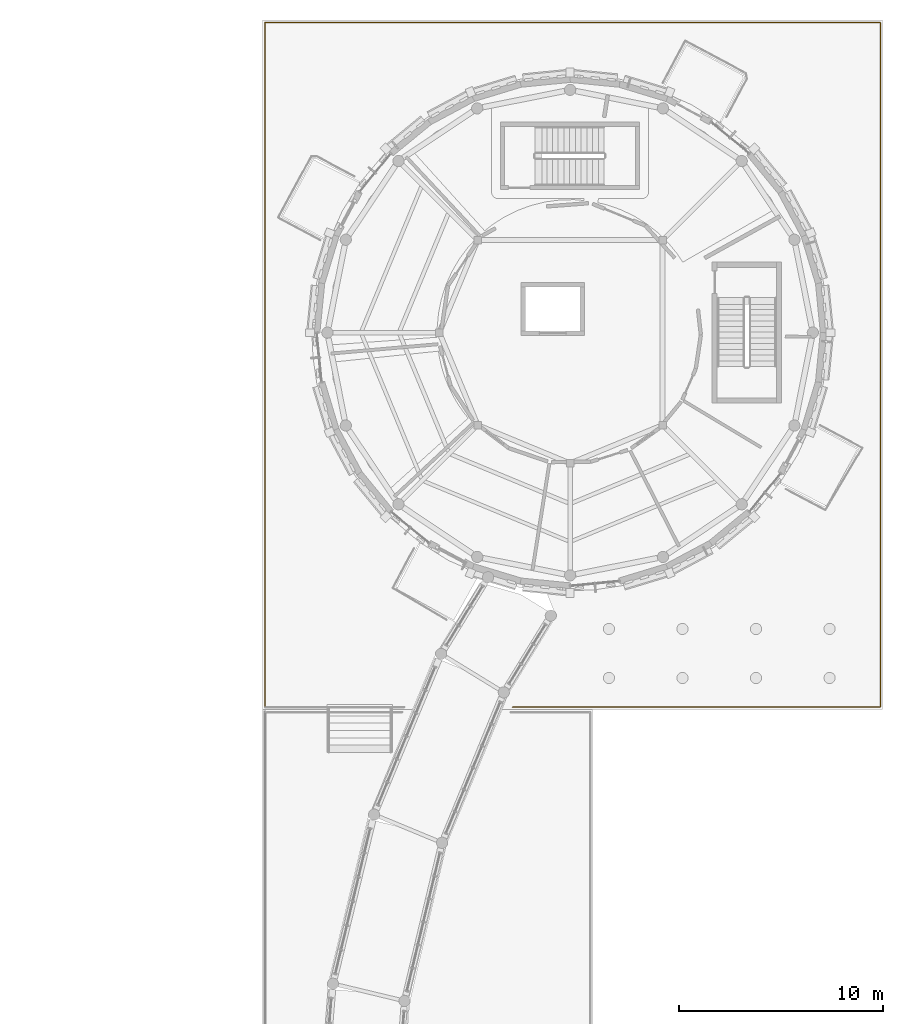
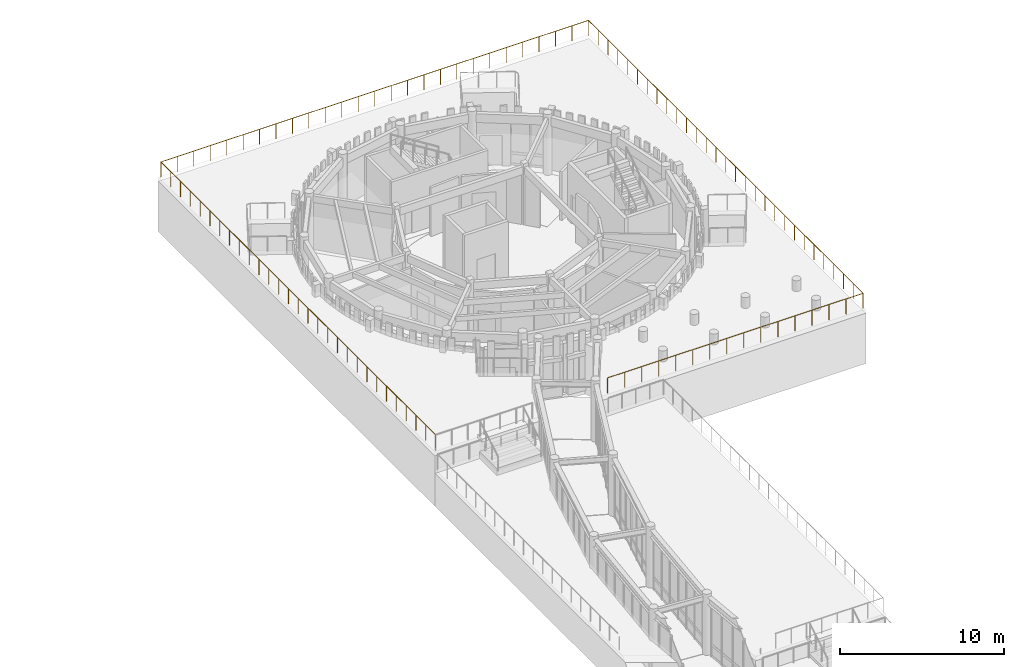
# One storey, part 92 of 94: 1 railing.
"""IFC4 building model written with IfcOpenShell, lengths in metres."""

from ifc_helpers import new_model, si_unit, direction, frame, origin, origin_2d, place, context, subcontext, project, spatial, circle, extrude, material, type_object, element, save


model = new_model("IFC4")

# Units and contexts
model_context = context("Model", 3, precision=1e-05, world=origin(), true_north=direction((0.0, 1.0)))
body_context = subcontext(model_context, "Body", "Model", "MODEL_VIEW")
ifc_project = project(units=[si_unit("LENGTHUNIT", "METRE"), si_unit("AREAUNIT", "SQUARE_METRE"), si_unit("VOLUMEUNIT", "CUBIC_METRE"), si_unit("PLANEANGLEUNIT", "RADIAN"), si_unit("MASSUNIT", "GRAM", prefix="KILO")], contexts=[model_context])

# Site, building, storey
site_placement = place(None, origin())
site = spatial("IfcSite", under=ifc_project, at=site_placement, CompositionType="ELEMENT")
building_placement = place(site_placement, origin())
building = spatial("IfcBuilding", under=site, at=building_placement, Name="Aldenvaro Health Centre", CompositionType="ELEMENT")
storey_placement = place(building_placement, origin())
storey = spatial("IfcBuildingStorey", under=building, at=storey_placement, Name="L00", CompositionType="ELEMENT", Elevation=0.0)

# Railing
ifc_material = material(Name="Painted Architectural Steel", Category="steel")
railing_type = type_object("IfcRailingType", Name="RL-BAL-115", PredefinedType="GUARDRAIL", material=ifc_material)
railing_placement = place(storey_placement, frame((139.570068359375, 81.169921875, 3.75)))
element("IfcRailing", 1, at=railing_placement, inside=storey, type_object=railing_type, Name="Upper North Foothill Acropolis Bastion Terrace Classical Balustrade 28", PredefinedType="GUARDRAIL", context=body_context, shape_type="SweptSolid", body=[
    extrude(circle(Radius=0.02392578125, at=origin_2d()), frame((0.0, 0.0, 1.1357421875), z_axis=(0.0, 1.0, 0.0), x_axis=(-1.0, 0.0, 0.0)), (0.0, 0.0, 1.0), 33.510009765625),
    extrude(circle(Radius=0.02392578125, at=origin_2d()), frame((0.0, 33.510009765625, 1.1357421875), z_axis=(1.0, 0.0, 0.0), x_axis=(0.0, 1.0, 0.0)), (0.0, 0.0, 1.0), 30.10986328125),
    extrude(circle(Radius=0.02392578125, at=origin_2d()), frame((30.10986328125, 33.510009765625, 1.1357421875), z_axis=(0.0, -1.0, 0.0), x_axis=(1.0, 0.0, 0.0)), (0.0, 0.0, 1.0), 33.510009765625),
    extrude(circle(Radius=0.02392578125, at=origin_2d()), frame((30.10986328125, 0.0, 1.1357421875), z_axis=(-1.0, 0.0, 0.0), x_axis=(0.0, -1.0, 0.0)), (0.0, 0.0, 1.0), 17.995849609375),
    extrude(circle(Radius=0.02099609375, at=origin_2d()), origin(), (0.0, 0.0, 1.0), 1.11181640625),
    extrude(circle(Radius=0.02099609375, at=origin_2d()), frame((0.0, 1.19677734375, 0.0)), (0.0, 0.0, 1.0), 1.11181640625),
    extrude(circle(Radius=0.02099609375, at=origin_2d()), frame((0.0, 2.3935546875, 0.0)), (0.0, 0.0, 1.0), 1.11181640625),
    extrude(circle(Radius=0.02099609375, at=origin_2d()), frame((0.0, 3.59033203125, 0.0)), (0.0, 0.0, 1.0), 1.11181640625),
    extrude(circle(Radius=0.02099609375, at=origin_2d()), frame((0.0, 4.787109375, 0.0)), (0.0, 0.0, 1.0), 1.11181640625),
    extrude(circle(Radius=0.02099609375, at=origin_2d()), frame((0.0, 5.98388671875, 0.0)), (0.0, 0.0, 1.0), 1.11181640625),
    extrude(circle(Radius=0.02099609375, at=origin_2d()), frame((0.0, 7.1806640625, 0.0)), (0.0, 0.0, 1.0), 1.11181640625),
    extrude(circle(Radius=0.02099609375, at=origin_2d()), frame((0.0, 8.37744140625, 0.0)), (0.0, 0.0, 1.0), 1.11181640625),
    extrude(circle(Radius=0.02099609375, at=origin_2d()), frame((0.0, 9.57421875, 0.0)), (0.0, 0.0, 1.0), 1.11181640625),
    extrude(circle(Radius=0.02099609375, at=origin_2d()), frame((0.0, 10.77099609375, 0.0)), (0.0, 0.0, 1.0), 1.11181640625),
    extrude(circle(Radius=0.02099609375, at=origin_2d()), frame((0.0, 11.9677734375, 0.0)), (0.0, 0.0, 1.0), 1.11181640625),
    extrude(circle(Radius=0.02099609375, at=origin_2d()), frame((0.0, 13.16455078125, 0.0)), (0.0, 0.0, 1.0), 1.11181640625),
    extrude(circle(Radius=0.02099609375, at=origin_2d()), frame((0.0, 14.361328125, 0.0)), (0.0, 0.0, 1.0), 1.11181640625),
    extrude(circle(Radius=0.02099609375, at=origin_2d()), frame((0.0, 15.55810546875, 0.0)), (0.0, 0.0, 1.0), 1.11181640625),
    extrude(circle(Radius=0.02099609375, at=origin_2d()), frame((0.0, 16.7548828125, 0.0)), (0.0, 0.0, 1.0), 1.11181640625),
    extrude(circle(Radius=0.02099609375, at=origin_2d()), frame((0.0, 17.951904296875, 0.0)), (0.0, 0.0, 1.0), 1.11181640625),
    extrude(circle(Radius=0.02099609375, at=origin_2d()), frame((0.0, 19.148681640625, 0.0)), (0.0, 0.0, 1.0), 1.11181640625),
    extrude(circle(Radius=0.02099609375, at=origin_2d()), frame((0.0, 20.345458984375, 0.0)), (0.0, 0.0, 1.0), 1.11181640625),
    extrude(circle(Radius=0.02099609375, at=origin_2d()), frame((0.0, 21.542236328125, 0.0)), (0.0, 0.0, 1.0), 1.11181640625),
    extrude(circle(Radius=0.02099609375, at=origin_2d()), frame((0.0, 22.739013671875, 0.0)), (0.0, 0.0, 1.0), 1.11181640625),
    extrude(circle(Radius=0.02099609375, at=origin_2d()), frame((0.0, 23.935791015625, 0.0)), (0.0, 0.0, 1.0), 1.11181640625),
    extrude(circle(Radius=0.02099609375, at=origin_2d()), frame((0.0, 25.132568359375, 0.0)), (0.0, 0.0, 1.0), 1.11181640625),
    extrude(circle(Radius=0.02099609375, at=origin_2d()), frame((0.0, 26.329345703125, 0.0)), (0.0, 0.0, 1.0), 1.11181640625),
    extrude(circle(Radius=0.02099609375, at=origin_2d()), frame((0.0, 27.526123046875, 0.0)), (0.0, 0.0, 1.0), 1.11181640625),
    extrude(circle(Radius=0.02099609375, at=origin_2d()), frame((0.0, 28.722900390625, 0.0)), (0.0, 0.0, 1.0), 1.11181640625),
    extrude(circle(Radius=0.02099609375, at=origin_2d()), frame((0.0, 29.919677734375, 0.0)), (0.0, 0.0, 1.0), 1.11181640625),
    extrude(circle(Radius=0.02099609375, at=origin_2d()), frame((0.0, 31.116455078125, 0.0)), (0.0, 0.0, 1.0), 1.11181640625),
    extrude(circle(Radius=0.02099609375, at=origin_2d()), frame((0.0, 32.313232421875, 0.0)), (0.0, 0.0, 1.0), 1.11181640625),
    extrude(circle(Radius=0.02099609375, at=origin_2d()), frame((0.0, 33.510009765625, 0.0)), (0.0, 0.0, 1.0), 1.11181640625),
    extrude(circle(Radius=0.02099609375, at=origin_2d()), frame((1.157958984375, 33.510009765625, 0.0)), (0.0, 0.0, 1.0), 1.11181640625),
    extrude(circle(Radius=0.02099609375, at=origin_2d()), frame((2.316162109375, 33.510009765625, 0.0)), (0.0, 0.0, 1.0), 1.11181640625),
    extrude(circle(Radius=0.02099609375, at=origin_2d()), frame((3.47412109375, 33.510009765625, 0.0)), (0.0, 0.0, 1.0), 1.11181640625),
    extrude(circle(Radius=0.02099609375, at=origin_2d()), frame((4.63232421875, 33.510009765625, 0.0)), (0.0, 0.0, 1.0), 1.11181640625),
    extrude(circle(Radius=0.02099609375, at=origin_2d()), frame((5.790283203125, 33.510009765625, 0.0)), (0.0, 0.0, 1.0), 1.11181640625),
    extrude(circle(Radius=0.02099609375, at=origin_2d()), frame((6.948486328125, 33.510009765625, 0.0)), (0.0, 0.0, 1.0), 1.11181640625),
    extrude(circle(Radius=0.02099609375, at=origin_2d()), frame((8.1064453125, 33.510009765625, 0.0)), (0.0, 0.0, 1.0), 1.11181640625),
    extrude(circle(Radius=0.02099609375, at=origin_2d()), frame((9.2646484375, 33.510009765625, 0.0)), (0.0, 0.0, 1.0), 1.11181640625),
    extrude(circle(Radius=0.02099609375, at=origin_2d()), frame((10.422607421875, 33.510009765625, 0.0)), (0.0, 0.0, 1.0), 1.11181640625),
    extrude(circle(Radius=0.02099609375, at=origin_2d()), frame((11.580810546875, 33.510009765625, 0.0)), (0.0, 0.0, 1.0), 1.11181640625),
    extrude(circle(Radius=0.02099609375, at=origin_2d()), frame((12.73876953125, 33.510009765625, 0.0)), (0.0, 0.0, 1.0), 1.11181640625),
    extrude(circle(Radius=0.02099609375, at=origin_2d()), frame((13.89697265625, 33.510009765625, 0.0)), (0.0, 0.0, 1.0), 1.11181640625),
    extrude(circle(Radius=0.02099609375, at=origin_2d()), frame((15.054931640625, 33.510009765625, 0.0)), (0.0, 0.0, 1.0), 1.11181640625),
    extrude(circle(Radius=0.02099609375, at=origin_2d()), frame((16.212890625, 33.510009765625, 0.0)), (0.0, 0.0, 1.0), 1.11181640625),
    extrude(circle(Radius=0.02099609375, at=origin_2d()), frame((17.37109375, 33.510009765625, 0.0)), (0.0, 0.0, 1.0), 1.11181640625),
    extrude(circle(Radius=0.02099609375, at=origin_2d()), frame((18.529052734375, 33.510009765625, 0.0)), (0.0, 0.0, 1.0), 1.11181640625),
    extrude(circle(Radius=0.02099609375, at=origin_2d()), frame((19.687255859375, 33.510009765625, 0.0)), (0.0, 0.0, 1.0), 1.11181640625),
    extrude(circle(Radius=0.02099609375, at=origin_2d()), frame((20.84521484375, 33.510009765625, 0.0)), (0.0, 0.0, 1.0), 1.11181640625),
    extrude(circle(Radius=0.02099609375, at=origin_2d()), frame((22.00341796875, 33.510009765625, 0.0)), (0.0, 0.0, 1.0), 1.11181640625),
    extrude(circle(Radius=0.02099609375, at=origin_2d()), frame((23.161376953125, 33.510009765625, 0.0)), (0.0, 0.0, 1.0), 1.11181640625),
    extrude(circle(Radius=0.02099609375, at=origin_2d()), frame((24.319580078125, 33.510009765625, 0.0)), (0.0, 0.0, 1.0), 1.11181640625),
    extrude(circle(Radius=0.02099609375, at=origin_2d()), frame((25.4775390625, 33.510009765625, 0.0)), (0.0, 0.0, 1.0), 1.11181640625),
    extrude(circle(Radius=0.02099609375, at=origin_2d()), frame((26.6357421875, 33.510009765625, 0.0)), (0.0, 0.0, 1.0), 1.11181640625),
    extrude(circle(Radius=0.02099609375, at=origin_2d()), frame((27.793701171875, 33.510009765625, 0.0)), (0.0, 0.0, 1.0), 1.11181640625),
    extrude(circle(Radius=0.02099609375, at=origin_2d()), frame((28.951904296875, 33.510009765625, 0.0)), (0.0, 0.0, 1.0), 1.11181640625),
    extrude(circle(Radius=0.02099609375, at=origin_2d()), frame((30.10986328125, 33.510009765625, 0.0)), (0.0, 0.0, 1.0), 1.11181640625),
    extrude(circle(Radius=0.02099609375, at=origin_2d()), frame((30.10986328125, 32.313232421875, 0.0)), (0.0, 0.0, 1.0), 1.11181640625),
    extrude(circle(Radius=0.02099609375, at=origin_2d()), frame((30.10986328125, 31.116455078125, 0.0)), (0.0, 0.0, 1.0), 1.11181640625),
    extrude(circle(Radius=0.02099609375, at=origin_2d()), frame((30.10986328125, 29.919677734375, 0.0)), (0.0, 0.0, 1.0), 1.11181640625),
    extrude(circle(Radius=0.02099609375, at=origin_2d()), frame((30.10986328125, 28.722900390625, 0.0)), (0.0, 0.0, 1.0), 1.11181640625),
    extrude(circle(Radius=0.02099609375, at=origin_2d()), frame((30.10986328125, 27.526123046875, 0.0)), (0.0, 0.0, 1.0), 1.11181640625),
    extrude(circle(Radius=0.02099609375, at=origin_2d()), frame((30.10986328125, 26.329345703125, 0.0)), (0.0, 0.0, 1.0), 1.11181640625),
    extrude(circle(Radius=0.02099609375, at=origin_2d()), frame((30.10986328125, 25.132568359375, 0.0)), (0.0, 0.0, 1.0), 1.11181640625),
    extrude(circle(Radius=0.02099609375, at=origin_2d()), frame((30.10986328125, 23.935791015625, 0.0)), (0.0, 0.0, 1.0), 1.11181640625),
    extrude(circle(Radius=0.02099609375, at=origin_2d()), frame((30.10986328125, 22.739013671875, 0.0)), (0.0, 0.0, 1.0), 1.11181640625),
    extrude(circle(Radius=0.02099609375, at=origin_2d()), frame((30.10986328125, 21.542236328125, 0.0)), (0.0, 0.0, 1.0), 1.11181640625),
    extrude(circle(Radius=0.02099609375, at=origin_2d()), frame((30.10986328125, 20.345458984375, 0.0)), (0.0, 0.0, 1.0), 1.11181640625),
    extrude(circle(Radius=0.02099609375, at=origin_2d()), frame((30.10986328125, 19.148681640625, 0.0)), (0.0, 0.0, 1.0), 1.11181640625),
    extrude(circle(Radius=0.02099609375, at=origin_2d()), frame((30.10986328125, 17.951904296875, 0.0)), (0.0, 0.0, 1.0), 1.11181640625),
    extrude(circle(Radius=0.02099609375, at=origin_2d()), frame((30.10986328125, 16.7548828125, 0.0)), (0.0, 0.0, 1.0), 1.11181640625),
    extrude(circle(Radius=0.02099609375, at=origin_2d()), frame((30.10986328125, 15.55810546875, 0.0)), (0.0, 0.0, 1.0), 1.11181640625),
    extrude(circle(Radius=0.02099609375, at=origin_2d()), frame((30.10986328125, 14.361328125, 0.0)), (0.0, 0.0, 1.0), 1.11181640625),
    extrude(circle(Radius=0.02099609375, at=origin_2d()), frame((30.10986328125, 13.16455078125, 0.0)), (0.0, 0.0, 1.0), 1.11181640625),
    extrude(circle(Radius=0.02099609375, at=origin_2d()), frame((30.10986328125, 11.9677734375, 0.0)), (0.0, 0.0, 1.0), 1.11181640625),
    extrude(circle(Radius=0.02099609375, at=origin_2d()), frame((30.10986328125, 10.77099609375, 0.0)), (0.0, 0.0, 1.0), 1.11181640625),
    extrude(circle(Radius=0.02099609375, at=origin_2d()), frame((30.10986328125, 9.57421875, 0.0)), (0.0, 0.0, 1.0), 1.11181640625),
    extrude(circle(Radius=0.02099609375, at=origin_2d()), frame((30.10986328125, 8.37744140625, 0.0)), (0.0, 0.0, 1.0), 1.11181640625),
    extrude(circle(Radius=0.02099609375, at=origin_2d()), frame((30.10986328125, 7.1806640625, 0.0)), (0.0, 0.0, 1.0), 1.11181640625),
    extrude(circle(Radius=0.02099609375, at=origin_2d()), frame((30.10986328125, 5.98388671875, 0.0)), (0.0, 0.0, 1.0), 1.11181640625),
    extrude(circle(Radius=0.02099609375, at=origin_2d()), frame((30.10986328125, 4.787109375, 0.0)), (0.0, 0.0, 1.0), 1.11181640625),
    extrude(circle(Radius=0.02099609375, at=origin_2d()), frame((30.10986328125, 3.59033203125, 0.0)), (0.0, 0.0, 1.0), 1.11181640625),
    extrude(circle(Radius=0.02099609375, at=origin_2d()), frame((30.10986328125, 2.3935546875, 0.0)), (0.0, 0.0, 1.0), 1.11181640625),
    extrude(circle(Radius=0.02099609375, at=origin_2d()), frame((30.10986328125, 1.19677734375, 0.0)), (0.0, 0.0, 1.0), 1.11181640625),
    extrude(circle(Radius=0.02099609375, at=origin_2d()), frame((30.10986328125, 0.0, 0.0)), (0.0, 0.0, 1.0), 1.11181640625),
    extrude(circle(Radius=0.02099609375, at=origin_2d()), frame((28.91015625, 0.0, 0.0)), (0.0, 0.0, 1.0), 1.11181640625),
    extrude(circle(Radius=0.02099609375, at=origin_2d()), frame((27.71044921875, 0.0, 0.0)), (0.0, 0.0, 1.0), 1.11181640625),
    extrude(circle(Radius=0.02099609375, at=origin_2d()), frame((26.5107421875, 0.0, 0.0)), (0.0, 0.0, 1.0), 1.11181640625),
    extrude(circle(Radius=0.02099609375, at=origin_2d()), frame((25.31103515625, 0.0, 0.0)), (0.0, 0.0, 1.0), 1.11181640625),
    extrude(circle(Radius=0.02099609375, at=origin_2d()), frame((24.111328125, 0.0, 0.0)), (0.0, 0.0, 1.0), 1.11181640625),
    extrude(circle(Radius=0.02099609375, at=origin_2d()), frame((22.91162109375, 0.0, 0.0)), (0.0, 0.0, 1.0), 1.11181640625),
    extrude(circle(Radius=0.02099609375, at=origin_2d()), frame((21.7119140625, 0.0, 0.0)), (0.0, 0.0, 1.0), 1.11181640625),
    extrude(circle(Radius=0.02099609375, at=origin_2d()), frame((20.511962890625, 0.0, 0.0)), (0.0, 0.0, 1.0), 1.11181640625),
    extrude(circle(Radius=0.02099609375, at=origin_2d()), frame((19.312255859375, 0.0, 0.0)), (0.0, 0.0, 1.0), 1.11181640625),
    extrude(circle(Radius=0.02099609375, at=origin_2d()), frame((18.112548828125, 0.0, 0.0)), (0.0, 0.0, 1.0), 1.11181640625),
    extrude(circle(Radius=0.02099609375, at=origin_2d()), frame((16.912841796875, 0.0, 0.0)), (0.0, 0.0, 1.0), 1.11181640625),
    extrude(circle(Radius=0.02099609375, at=origin_2d()), frame((15.713134765625, 0.0, 0.0)), (0.0, 0.0, 1.0), 1.11181640625),
    extrude(circle(Radius=0.02099609375, at=origin_2d()), frame((14.513427734375, 0.0, 0.0)), (0.0, 0.0, 1.0), 1.11181640625),
    extrude(circle(Radius=0.02099609375, at=origin_2d()), frame((13.313720703125, 0.0, 0.0)), (0.0, 0.0, 1.0), 1.11181640625),
    extrude(circle(Radius=0.02099609375, at=origin_2d()), frame((12.114013671875, 0.0, 0.0)), (0.0, 0.0, 1.0), 1.11181640625),
])

save(model, "model.ifc")
